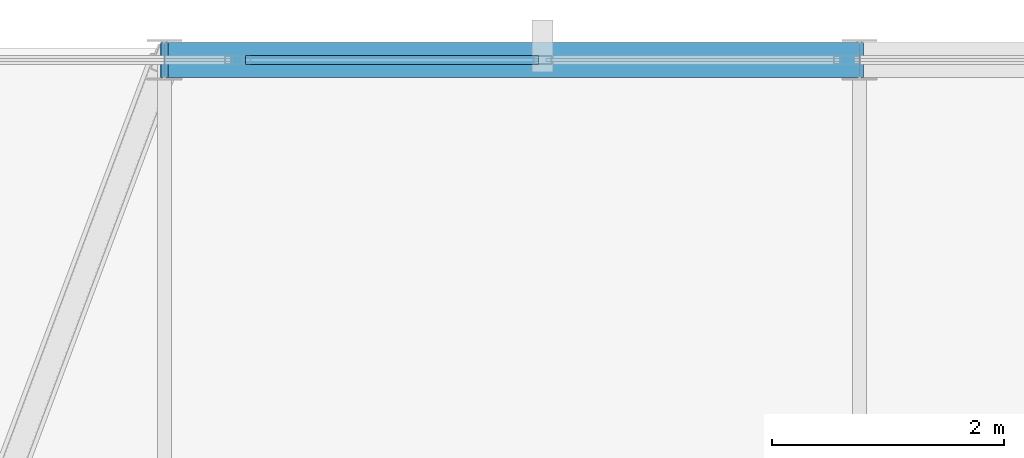
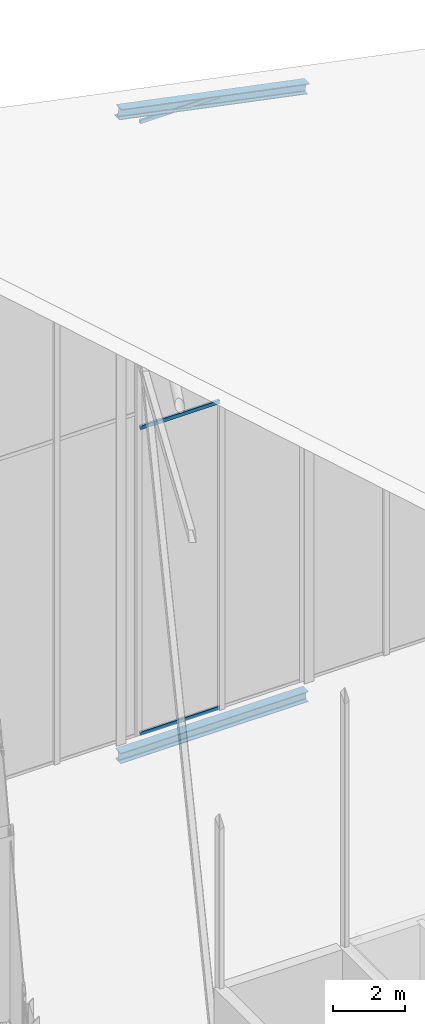
# One storey, part 49 of 74: 3 members, 2 beams, 1 element without a shape of its own.
"""IFC4 building model written with IfcOpenShell, lengths in metres."""

from ifc_helpers import new_model, si_unit, direction, frame, origin, origin_2d, place, context, subcontext, project, spatial, hollow_rectangle, i_section, extrude, material, layer, layer_set, material_profile, profile_set, type_object, element, aggregate, save


model = new_model("IFC4")

# Units and contexts
model_context = context("Model", 3, precision=1e-05, world=origin(), true_north=direction((0.0, 1.0)))
body_context = subcontext(model_context, "Body", "Model", "MODEL_VIEW")
ifc_project = project(units=[si_unit("LENGTHUNIT", "METRE"), si_unit("AREAUNIT", "SQUARE_METRE"), si_unit("VOLUMEUNIT", "CUBIC_METRE"), si_unit("PLANEANGLEUNIT", "RADIAN"), si_unit("MASSUNIT", "GRAM", prefix="KILO")], contexts=[model_context])

# Site, building, storey
site_placement = place(None, origin())
site = spatial("IfcSite", under=ifc_project, at=site_placement, CompositionType="ELEMENT")
building_placement = place(site_placement, origin())
building = spatial("IfcBuilding", under=site, at=building_placement, Name="Keshet Zoharim Tower", CompositionType="ELEMENT")
storey_placement = place(building_placement, frame((0.0, 0.0, 320.0)))
storey = spatial("IfcBuildingStorey", under=building, at=storey_placement, Name="RF", CompositionType="ELEMENT", Elevation=320.0)

# Beams
ifc_material_1 = material(Name="Steel S355", Category="steel")
ifc_material_profile_1 = material_profile(ifc_material_1, i_section(OverallWidth=0.300048828125, OverallDepth=0.35009765625, WebThickness=0.010009765625, FlangeThickness=0.017578125, FilletRadius=0.027099609375, at=origin_2d()), Name="HEA360")
ifc_profile_set_1 = profile_set([ifc_material_profile_1], Name="Steel S355")
beam_type_1 = type_object("IfcBeamType", Name="BM-PRI-HA360", PredefinedType="BEAM", material=ifc_profile_set_1)
beam_1_placement = place(storey_placement, frame((21.0, 53.89990234375, -0.485107421875), z_axis=(1.0, 0.0, 0.0), x_axis=(0.0, 1.0, 0.0)))
element("IfcBeam", 1, at=beam_1_placement, inside=storey, type_object=beam_type_1, Name="RF Primary Girder X-011", PredefinedType="BEAM", context=body_context, shape_type="SweptSolid", body=[
    extrude(i_section(OverallWidth=0.300048828125, OverallDepth=0.35009765625, WebThickness=0.010009765625, FlangeThickness=0.017578125, FilletRadius=0.027099609375, at=origin_2d()), origin(), (0.0, 0.0, 1.0), 6.0),
])
ifc_material_profile_2 = material_profile(ifc_material_1, i_section(OverallWidth=0.300048828125, OverallDepth=0.340087890625, WebThickness=0.011962890625, FlangeThickness=0.021484375, FilletRadius=0.027099609375, at=origin_2d()), Name="HEB340")
ifc_profile_set_2 = profile_set([ifc_material_profile_2], Name="Steel S355")
beam_type_2 = type_object("IfcBeamType", Name="BM-SPN-HB340", PredefinedType="SPANDREL", material=ifc_profile_set_2)
beam_2_placement = place(storey_placement, frame((21.0, 53.89990234375, 21.24609375), z_axis=(0.979831468779, 0.0, -0.199825655986), x_axis=(0.0, 1.0, 0.0)))
element("IfcBeam", 2, at=beam_2_placement, inside=storey, type_object=beam_type_2, Name="Crown Sloped Perimeter Ring Beam 01", PredefinedType="SPANDREL", context=body_context, shape_type="SweptSolid", body=[
    extrude(i_section(OverallWidth=0.300048828125, OverallDepth=0.340087890625, WebThickness=0.011962890625, FlangeThickness=0.021484375, FilletRadius=0.027099609375, at=origin_2d()), origin(), (0.0, 0.0, 1.0), 6.12353515625),
])

# Curtain wall, members
ifc_material_2 = material(Name="Aluminium 6063-T6", Category="aluminium")
ifc_layer = layer(ifc_material_2, 0.260009765625)
ifc_layer_set = layer_set([ifc_layer], Name="Aluminium 6063-T6")
curtain_wall_type = type_object("IfcCurtainWallType", Name="CW-SYS-06", PredefinedType="NOTDEFINED", material=ifc_layer_set)
curtain_wall_placement = place(storey_placement, origin())
curtain_wall = element("IfcCurtainWall", 3, at=curtain_wall_placement, inside=storey, type_object=curtain_wall_type, Name="Slanted Crown Curtain Wall 12", PredefinedType="NOTDEFINED")
ifc_material_profile_3 = material_profile(ifc_material_2, hollow_rectangle(XDim=0.074951171875, YDim=0.1201171875, WallThickness=0.00390625, at=origin_2d()), Name="TRN-75x120")
ifc_profile_set_3 = profile_set([ifc_material_profile_3], Name="Aluminium 6063-T6")
member_type = type_object("IfcMemberType", Name="CWT-T12", PredefinedType="USERDEFINED", material=ifc_profile_set_3)
member_1_placement = place(storey_placement, frame((21.697998046875, 53.89990234375, 0.032470703125), z_axis=(1.0, 0.0, 0.0), x_axis=(0.0, 1.0, 0.0)))
member_1 = element("IfcMember", 4, at=member_1_placement, type_object=member_type, Name="CW-06 transom 1.1", ObjectType="TRANSOM", PredefinedType="USERDEFINED", context=body_context, shape_type="SweptSolid", body=[
    extrude(hollow_rectangle(XDim=0.074951171875, YDim=0.1201171875, WallThickness=0.00390625, at=origin_2d()), origin(), (0.0, 0.0, 1.0), 2.531982421875),
])
member_2_placement = place(storey_placement, frame((21.697998046875, 53.89990234375, 10.360107421875), z_axis=(1.0, 0.0, 0.0), x_axis=(0.0, 1.0, 0.0)))
member_2 = element("IfcMember", 5, at=member_2_placement, type_object=member_type, Name="CW-06 transom 1.2", ObjectType="TRANSOM", PredefinedType="USERDEFINED", context=body_context, shape_type="SweptSolid", body=[
    extrude(hollow_rectangle(XDim=0.074951171875, YDim=0.1201171875, WallThickness=0.00390625, at=origin_2d()), origin(), (0.0, 0.0, 1.0), 2.531982421875),
])
member_3_placement = place(storey_placement, frame((21.697998046875, 53.89990234375, 20.6865234375), z_axis=(1.0, 0.0, 0.0), x_axis=(0.0, 1.0, 0.0)))
member_3 = element("IfcMember", 6, at=member_3_placement, type_object=member_type, Name="CW-06 transom 1.3", ObjectType="TRANSOM", PredefinedType="USERDEFINED", context=body_context, shape_type="SweptSolid", body=[
    extrude(hollow_rectangle(XDim=0.074951171875, YDim=0.1201171875, WallThickness=0.00390625, at=origin_2d()), origin(), (0.0, 0.0, 1.0), 2.531982421875),
])
aggregate(curtain_wall, [member_1, member_2, member_3])

save(model, "model.ifc")
